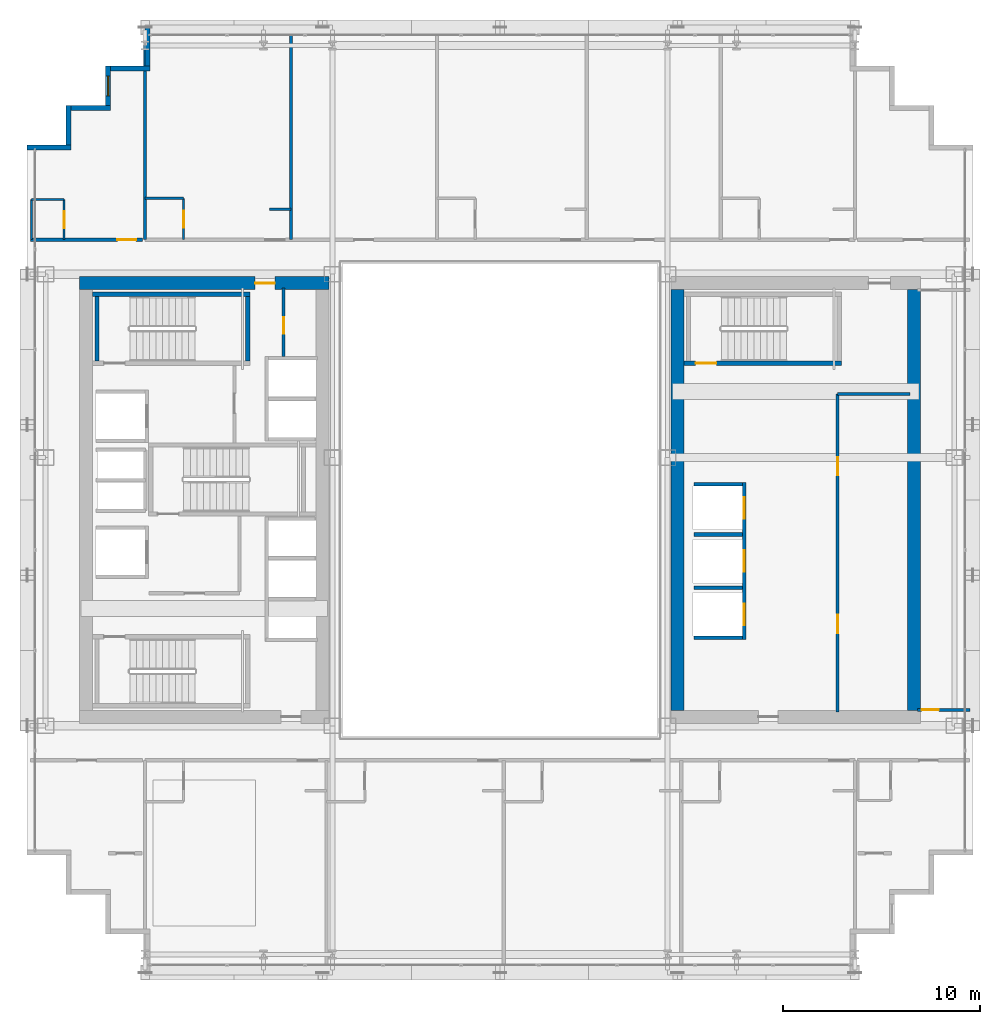
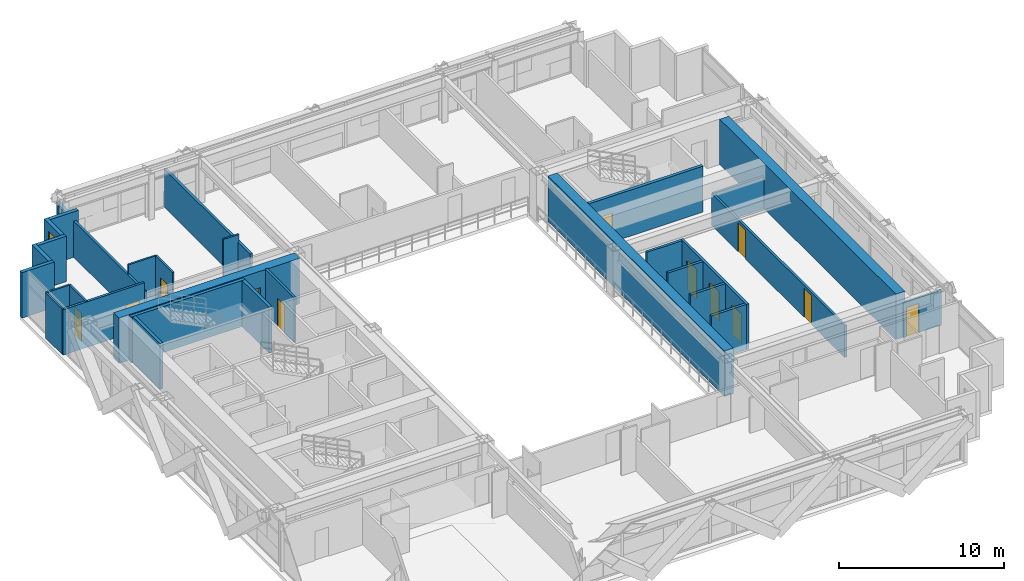
# One storey, part 29 of 34: 31 walls, 12 doors, 1 window, 13 openings.
"""IFC4 building model written with IfcOpenShell, lengths in metres."""

from ifc_helpers import new_model, si_unit, direction, frame, frame_2d, origin, place, context, subcontext, project, spatial, rectangle, extrude, source, transform, mapped, material, layer, layer_set, type_object, element, fill, save


model = new_model("IFC4")

# Units and contexts
model_context = context("Model", 3, precision=1e-05, world=origin(), true_north=direction((0.0, 1.0)))
body_context = subcontext(model_context, "Body", "Model", "MODEL_VIEW")
ifc_project = project(units=[si_unit("LENGTHUNIT", "METRE"), si_unit("AREAUNIT", "SQUARE_METRE"), si_unit("VOLUMEUNIT", "CUBIC_METRE"), si_unit("PLANEANGLEUNIT", "RADIAN"), si_unit("MASSUNIT", "GRAM", prefix="KILO")], contexts=[model_context])

# Site, building, storey
site_placement = place(None, origin())
site = spatial("IfcSite", under=ifc_project, at=site_placement, CompositionType="ELEMENT")
building_placement = place(site_placement, origin())
building = spatial("IfcBuilding", under=site, at=building_placement, Name="Ocotamira Hotel", CompositionType="ELEMENT")
storey_placement = place(building_placement, frame((0.0, 0.0, 108.0)))
storey = spatial("IfcBuildingStorey", under=building, at=storey_placement, Name="L26", CompositionType="ELEMENT", Elevation=108.0)

# Wall, opening, door
ifc_material_1 = material(Name="Concrete C60/75", Category="concrete")
ifc_layer_1 = layer(ifc_material_1, 0.64990234375)
ifc_layer_set_1 = layer_set([ifc_layer_1], Name="Concrete C60/75")
wall_type_1 = type_object("IfcWallType", Name="WL-CORE-650", PredefinedType="SHEAR", material=ifc_layer_set_1)
wall_1_placement = place(storey_placement, frame((10.675048828125, 37.0, 0.0), z_axis=(0.0, 0.0, 1.0), x_axis=(1.0, 0.0, 0.0)))
wall_1 = element("IfcWall", 1, at=wall_1_placement, inside=storey, type_object=wall_type_1, Name="L26 Shear Core Wall WCORE-N", PredefinedType="SHEAR", context=body_context, shape_type="SweptSolid", body=[
    extrude(rectangle(XDim=12.64990234375, YDim=0.64990234375, at=frame_2d((6.324951171875, 0.0))), origin(), (0.0, 0.0, 1.0), 3.360107421875),
])
opening_1_placement = place(wall_1_placement, frame((8.905029296875, 0.0, 0.0)))
opening_1 = element("IfcOpeningElement", 2, at=opening_1_placement, cuts=wall_1, Name="Opening D-FR2", PredefinedType="OPENING", context=body_context, shape_type="SweptSolid", body=[
    extrude(rectangle(XDim=1.0, YDim=2.14990234375, at=frame_2d((0.5, 1.074951171875))), frame((0.0, 0.3349609375, 0.0), z_axis=(0.0, -1.0, 0.0), x_axis=(1.0, 0.0, 0.0)), (0.0, 0.0, 1.0), 0.669921875),
])
ifc_material_2 = material(Name="Fire-rated acoustic timber-veneer door", Category="wood")
door_type_1 = type_object("IfcDoorType", Name="DR-FIRE-1000", OperationType="NOTDEFINED", PredefinedType="DOOR", material=ifc_material_2)
shared_shape_1 = source(origin(), body_context, "Body", "SweptSolid", [
    extrude(rectangle(XDim=1.0, YDim=2.14990234375, at=frame_2d((0.5, 1.074951171875))), frame((0.0, 0.02490234375, 0.0), z_axis=(0.0, -1.0, 0.0), x_axis=(1.0, 0.0, 0.0)), (0.0, 0.0, 1.0), 0.050048828125),
])
door_1_placement = place(opening_1_placement, origin())
door_1 = element("IfcDoor", 3, at=door_1_placement, inside=storey, type_object=door_type_1, Name="L26 Door ID-L26-WLOB-N-D [ID-L26-WLOB-N-D]", OperationType="SINGLE_SWING_RIGHT", OverallHeight=2.14990234375, OverallWidth=1.0, PredefinedType="DOOR", context=body_context, shape_type="MappedRepresentation", body=[
    mapped(shared_shape_1, transform((0.0, 0.0, 0.0), scale=1.0)),
])
fill(opening_1, door_1)

# Walls
for number, where, z_axis, x_axis, name in (
    (4, (41.0, 15.324951171875, 0.0), (0.0, 0.0, 1.0), (0.0, 1.0, 0.0), "L26 Shear Core Wall ECORE-W"),
    (5, (53.0, 15.324951171875, 0.0), (0.0, 0.0, 1.0), (0.0, 1.0, 0.0), "L26 Shear Core Wall ECORE-E"),
):
    element("IfcWall", number, at=place(storey_placement, frame(where, z_axis=z_axis, x_axis=x_axis)), inside=storey, type_object=wall_type_1, Name=name, PredefinedType="SHEAR", context=body_context, shape_type="SweptSolid", body=[
        extrude(rectangle(XDim=21.35009765625, YDim=0.64990234375, at=frame_2d((10.675048828125, 0.0))), origin(), (0.0, 0.0, 1.0), 3.360107421875),
    ])
ifc_material_3 = material(Name="Precast concrete C45/55", Category="concrete")
ifc_layer_2 = layer(ifc_material_3, 0.25)
ifc_layer_set_2 = layer_set([ifc_layer_2], Name="Precast concrete C45/55")
wall_type_2 = type_object("IfcWallType", Name="WL-EXT-SER-250", PredefinedType="SOLIDWALL", material=ifc_layer_set_2)
wall_2_placement = place(storey_placement, frame((14.125, 50.0, 0.0), z_axis=(0.0, 0.0, 1.0), x_axis=(0.0, -1.0, 0.0)))
element("IfcWall", 6, at=wall_2_placement, inside=storey, type_object=wall_type_2, Name="L26 Serrated Corner Wall 13", PredefinedType="SOLIDWALL", context=body_context, shape_type="SweptSolid", body=[
    extrude(rectangle(XDim=2.0, YDim=0.25, at=frame_2d((1.0, 0.0))), origin(), (0.0, 0.0, 1.0), 2.6669921875),
])
wall_3_placement = place(storey_placement, frame((14.25, 47.875, 0.0), z_axis=(0.0, 0.0, 1.0), x_axis=(-1.0, 0.0, 0.0)))
element("IfcWall", 7, at=wall_3_placement, inside=storey, type_object=wall_type_2, Name="L26 Serrated Corner Wall 14", PredefinedType="SOLIDWALL", context=body_context, shape_type="SweptSolid", body=[
    extrude(rectangle(XDim=2.0, YDim=0.25, at=frame_2d((1.0, 0.0))), origin(), (0.0, 0.0, 1.0), 3.360107421875),
])

# Wall, opening, window
wall_4_placement = place(storey_placement, frame((12.125, 48.0, 0.0), z_axis=(0.0, 0.0, 1.0), x_axis=(0.0, -1.0, 0.0)))
wall_4 = element("IfcWall", 8, at=wall_4_placement, inside=storey, type_object=wall_type_2, Name="L26 Serrated Corner Wall 15", PredefinedType="SOLIDWALL", context=body_context, shape_type="SweptSolid", body=[
    extrude(rectangle(XDim=2.0, YDim=0.25, at=frame_2d((1.0, 0.0))), origin(), (0.0, 0.0, 1.0), 3.360107421875),
])
opening_2_placement = place(wall_4_placement, frame((0.5, 0.0, 0.85009765625)))
opening_2 = element("IfcOpeningElement", 9, at=opening_2_placement, cuts=wall_4, Name="Opening WN-2", PredefinedType="OPENING", context=body_context, shape_type="SweptSolid", body=[
    extrude(rectangle(XDim=1.0, YDim=1.89990234375, at=frame_2d((0.5, 0.949951171875))), frame((0.0, 0.135009765625, 0.0), z_axis=(0.0, -1.0, 0.0), x_axis=(1.0, 0.0, 0.0)), (0.0, 0.0, 1.0), 0.27001953125),
])
ifc_material_4 = material(Name="Double-silver low-E solar glass", Category="glass")
window_type = type_object("IfcWindowType", Name="WIN-SER-1100", PartitioningType="SINGLE_PANEL", PredefinedType="WINDOW", material=ifc_material_4)
shared_shape_2 = source(origin(), body_context, "Body", "SweptSolid", [
    extrude(rectangle(XDim=1.0, YDim=1.89990234375, at=frame_2d((0.5, 0.949951171875))), frame((0.0, 0.030029296875, 0.0), z_axis=(0.0, -1.0, 0.0), x_axis=(1.0, 0.0, 0.0)), (0.0, 0.0, 1.0), 0.06005859375),
])
window_placement = place(opening_2_placement, origin())
window = element("IfcWindow", 10, at=window_placement, inside=storey, type_object=window_type, Name="L26 Serrated Corner Window 15", OverallHeight=1.89990234375, OverallWidth=1.0, PartitioningType="SINGLE_PANEL", PredefinedType="WINDOW", context=body_context, shape_type="MappedRepresentation", body=[
    mapped(shared_shape_2, transform((0.0, 0.0, 0.0), scale=1.0)),
])
fill(opening_2, window)

# Walls
for number, where, z_axis, x_axis, name in (
    (11, (12.25, 45.875, 0.0), (0.0, 0.0, 1.0), (-1.0, 0.0, 0.0), "L26 Serrated Corner Wall 16"),
    (12, (10.125, 46.0, 0.0), (0.0, 0.0, 1.0), (0.0, -1.0, 0.0), "L26 Serrated Corner Wall 17"),
):
    element("IfcWall", number, at=place(storey_placement, frame(where, z_axis=z_axis, x_axis=x_axis)), inside=storey, type_object=wall_type_2, Name=name, PredefinedType="SOLIDWALL", context=body_context, shape_type="SweptSolid", body=[
        extrude(rectangle(XDim=2.0, YDim=0.25, at=frame_2d((1.0, 0.0))), origin(), (0.0, 0.0, 1.0), 3.360107421875),
    ])
wall_5_placement = place(storey_placement, frame((10.25, 43.875, 0.0), z_axis=(0.0, 0.0, 1.0), x_axis=(-1.0, 0.0, 0.0)))
element("IfcWall", 13, at=wall_5_placement, inside=storey, type_object=wall_type_2, Name="L26 Serrated Corner Wall 18", PredefinedType="SOLIDWALL", context=body_context, shape_type="SweptSolid", body=[
    extrude(rectangle(XDim=2.25, YDim=0.25, at=frame_2d((1.125, 0.0))), origin(), (0.0, 0.0, 1.0), 3.360107421875),
])
ifc_material_5 = material(Name="Acoustic double-layer fire gypsum board partition", Category="gypsum")
ifc_layer_3 = layer(ifc_material_5, 0.159912109375)
ifc_layer_set_3 = layer_set([ifc_layer_3], Name="Acoustic double-layer fire gypsum board partition")
wall_type_3 = type_object("IfcWallType", Name="WL-FIRE-160", PredefinedType="PARTITIONING", material=ifc_layer_set_3)
wall_6_placement = place(storey_placement, frame((49.1201171875, 31.3798828125, 0.0), z_axis=(0.0, 0.0, 1.0), x_axis=(1.0, 0.0, 0.0)))
element("IfcWall", 14, at=wall_6_placement, inside=storey, type_object=wall_type_3, Name="L26 Interior Wall PW-L26-EC-FLOW-N", PredefinedType="PARTITIONING", context=body_context, shape_type="SweptSolid", body=[
    extrude(rectangle(XDim=3.679931640625, YDim=0.159912109375, at=frame_2d((1.83984375, 0.0))), origin(), (0.0, 0.0, 1.0), 2.360107421875),
])

# Wall, openings, doors
wall_7_placement = place(storey_placement, frame((49.1201171875, 15.25, 0.0), z_axis=(0.0, 0.0, 1.0), x_axis=(0.0, 1.0, 0.0)))
wall_7 = element("IfcWall", 15, at=wall_7_placement, inside=storey, type_object=wall_type_3, Name="L26 Interior Wall PW-L26-EC-FLOW-W", PredefinedType="PARTITIONING", context=body_context, shape_type="SweptSolid", body=[
    extrude(rectangle(XDim=16.1298828125, YDim=0.159912109375, at=frame_2d((8.06494140625, 0.0))), origin(), (0.0, 0.0, 1.0), 2.360107421875),
])
opening_3_placement = place(wall_7_placement, frame((4.0, 0.0, 0.0)))
opening_3 = element("IfcOpeningElement", 16, at=opening_3_placement, cuts=wall_7, Name="Opening D-SV3", PredefinedType="OPENING", context=body_context, shape_type="SweptSolid", body=[
    extrude(rectangle(XDim=0.919921875, YDim=2.14990234375, at=frame_2d((0.4599609375, 1.074951171875))), frame((0.0, 0.08984375, 0.0), z_axis=(0.0, -1.0, 0.0), x_axis=(1.0, 0.0, 0.0)), (0.0, 0.0, 1.0), 0.179931640625),
])
opening_4_placement = place(wall_7_placement, frame((12.0, 0.0, 0.0)))
opening_4 = element("IfcOpeningElement", 17, at=opening_4_placement, cuts=wall_7, Name="Opening D-SV3", PredefinedType="OPENING", context=body_context, shape_type="SweptSolid", body=[
    extrude(rectangle(XDim=0.919921875, YDim=2.14990234375, at=frame_2d((0.4599609375, 1.074951171875))), frame((0.0, 0.08984375, 0.0), z_axis=(0.0, -1.0, 0.0), x_axis=(1.0, 0.0, 0.0)), (0.0, 0.0, 1.0), 0.179931640625),
])
ifc_material_6 = material(Name="Fire-rated walnut hospitality door", Category="wood")
door_type_2 = type_object("IfcDoorType", Name="DR-SERV-920", OperationType="NOTDEFINED", PredefinedType="DOOR", material=ifc_material_6)
shared_shape_3 = source(origin(), body_context, "Body", "SweptSolid", [
    extrude(rectangle(XDim=0.919921875, YDim=2.14990234375, at=frame_2d((0.4599609375, 1.074951171875))), frame((0.0, 0.02490234375, 0.0), z_axis=(0.0, -1.0, 0.0), x_axis=(1.0, 0.0, 0.0)), (0.0, 0.0, 1.0), 0.050048828125),
])
door_2_placement = place(opening_3_placement, origin())
door_2 = element("IfcDoor", 18, at=door_2_placement, inside=storey, type_object=door_type_2, Name="L26 Door ID-L26-EC-FLOW-D1 [ID-L26-EC-FLOW-D1]", OperationType="SINGLE_SWING_LEFT", OverallHeight=2.14990234375, OverallWidth=0.919921875, PredefinedType="DOOR", context=body_context, shape_type="MappedRepresentation", body=[
    mapped(shared_shape_3, transform((0.0, 0.0, 0.0), scale=1.0)),
])
fill(opening_3, door_2)
door_3_placement = place(opening_4_placement, origin())
door_3 = element("IfcDoor", 19, at=door_3_placement, inside=storey, type_object=door_type_2, Name="L26 Door ID-L26-EC-FLOW-D2 [ID-L26-EC-FLOW-D2]", OperationType="SINGLE_SWING_RIGHT", OverallHeight=2.14990234375, OverallWidth=0.919921875, PredefinedType="DOOR", context=body_context, shape_type="MappedRepresentation", body=[
    mapped(shared_shape_3, transform((0.0, 0.0, 0.0), scale=1.0)),
])
fill(opening_4, door_3)

# Wall, opening, door
wall_8_placement = place(storey_placement, frame((8.199951171875, 39.199951171875, 0.0), z_axis=(0.0, 0.0, 1.0), x_axis=(1.0, 0.0, 0.0)))
wall_8 = element("IfcWall", 20, at=wall_8_placement, inside=storey, type_object=wall_type_3, Name="L26 Interior Wall PW-L26-Z2B-CNW-CW", PredefinedType="PARTITIONING", context=body_context, shape_type="SweptSolid", body=[
    extrude(rectangle(XDim=5.679931640625, YDim=0.159912109375, at=frame_2d((2.83984375, 0.0))), origin(), (0.0, 0.0, 1.0), 3.360107421875),
])
opening_5_placement = place(wall_8_placement, frame((4.39990234375, 0.0, 0.0)))
opening_5 = element("IfcOpeningElement", 21, at=opening_5_placement, cuts=wall_8, Name="Opening D-GR1", PredefinedType="OPENING", context=body_context, shape_type="SweptSolid", body=[
    extrude(rectangle(XDim=0.93994140625, YDim=2.14990234375, at=frame_2d((0.469970703125, 1.074951171875))), frame((0.0, 0.08984375, 0.0), z_axis=(0.0, -1.0, 0.0), x_axis=(1.0, 0.0, 0.0)), (0.0, 0.0, 1.0), 0.179931640625),
])
ifc_material_7 = material(Name="Solid-core walnut suite entrance fire door", Category="wood")
door_type_3 = type_object("IfcDoorType", Name="DR-GUEST-940", OperationType="NOTDEFINED", PredefinedType="DOOR", material=ifc_material_7)
shared_shape_4 = source(origin(), body_context, "Body", "SweptSolid", [
    extrude(rectangle(XDim=0.93994140625, YDim=2.14990234375, at=frame_2d((0.469970703125, 1.074951171875))), frame((0.0, 0.02490234375, 0.0), z_axis=(0.0, -1.0, 0.0), x_axis=(1.0, 0.0, 0.0)), (0.0, 0.0, 1.0), 0.050048828125),
])
door_4_placement = place(opening_5_placement, origin())
door_4 = element("IfcDoor", 22, at=door_4_placement, inside=storey, type_object=door_type_3, Name="L26 Door ID-L26-Z2B-CNW-CD [ID-L26-Z2B-CNW-CD]", OperationType="SINGLE_SWING_RIGHT", OverallHeight=2.14990234375, OverallWidth=0.93994140625, PredefinedType="DOOR", context=body_context, shape_type="MappedRepresentation", body=[
    mapped(shared_shape_4, transform((0.0, 0.0, 0.0), scale=1.0)),
])
fill(opening_5, door_4)

ifc_material_8 = material(Name="Moisture-resistant en-suite tile and gypsum partition", Category="gypsum")
ifc_layer_4 = layer(ifc_material_8, 0.1201171875)
ifc_layer_set_4 = layer_set([ifc_layer_4], Name="Moisture-resistant en-suite tile and gypsum partition")
wall_type_4 = type_object("IfcWallType", Name="WL-PART-120", PredefinedType="PARTITIONING", material=ifc_layer_set_4)
wall_9_placement = place(storey_placement, frame((9.889892578125, 39.199951171875, 0.0), z_axis=(0.0, 0.0, 1.0), x_axis=(0.0, 1.0, 0.0)))
wall_9 = element("IfcWall", 23, at=wall_9_placement, inside=storey, type_object=wall_type_4, Name="L26 Interior Wall PW-L26-Z2B-CNW-BE", PredefinedType="PARTITIONING", context=body_context, shape_type="SweptSolid", body=[
    extrude(rectangle(XDim=2.0400390625, YDim=0.1201171875, at=frame_2d((1.02001953125, 0.0))), origin(), (0.0, 0.0, 1.0), 3.360107421875),
])
opening_6_placement = place(wall_9_placement, frame((0.590087890625, 0.0, 0.0)))
opening_6 = element("IfcOpeningElement", 24, at=opening_6_placement, cuts=wall_9, Name="Opening D-BA1", PredefinedType="OPENING", context=body_context, shape_type="SweptSolid", body=[
    extrude(rectangle(XDim=0.860107421875, YDim=2.10009765625, at=frame_2d((0.43017578125, 1.050048828125))), frame((0.0, 0.070068359375, 0.0), z_axis=(0.0, -1.0, 0.0), x_axis=(1.0, 0.0, 0.0)), (0.0, 0.0, 1.0), 0.14013671875),
])
ifc_material_9 = material(Name="Moisture-sealed en-suite timber door", Category="wood")
door_type_4 = type_object("IfcDoorType", Name="DR-BATH-860", OperationType="NOTDEFINED", PredefinedType="DOOR", material=ifc_material_9)
shared_shape_5 = source(origin(), body_context, "Body", "SweptSolid", [
    extrude(rectangle(XDim=0.860107421875, YDim=2.10009765625, at=frame_2d((0.43017578125, 1.050048828125))), frame((0.0, 0.02490234375, 0.0), z_axis=(0.0, -1.0, 0.0), x_axis=(1.0, 0.0, 0.0)), (0.0, 0.0, 1.0), 0.050048828125),
])
door_5_placement = place(opening_6_placement, origin())
door_5 = element("IfcDoor", 25, at=door_5_placement, inside=storey, type_object=door_type_4, Name="L26 Door ID-L26-Z2B-CNW-BD [ID-L26-Z2B-CNW-BD]", OperationType="SINGLE_SWING_LEFT", OverallHeight=2.10009765625, OverallWidth=0.860107421875, PredefinedType="DOOR", context=body_context, shape_type="MappedRepresentation", body=[
    mapped(shared_shape_5, transform((0.0, 0.0, 0.0), scale=1.0)),
])
fill(opening_6, door_5)

# Walls
wall_10_placement = place(storey_placement, frame((8.239990234375, 39.199951171875, 0.0), z_axis=(0.0, 0.0, 1.0), x_axis=(0.0, 1.0, 0.0)))
element("IfcWall", 26, at=wall_10_placement, inside=storey, type_object=wall_type_4, Name="L26 Interior Wall PW-L26-Z2B-CNW-BW", PredefinedType="PARTITIONING", context=body_context, shape_type="SweptSolid", body=[
    extrude(rectangle(XDim=2.0400390625, YDim=0.1201171875, at=frame_2d((1.02001953125, 0.0))), origin(), (0.0, 0.0, 1.0), 3.360107421875),
])
wall_11_placement = place(storey_placement, frame((8.239990234375, 41.239990234375, 0.0), z_axis=(0.0, 0.0, 1.0), x_axis=(1.0, 0.0, 0.0)))
element("IfcWall", 27, at=wall_11_placement, inside=storey, type_object=wall_type_4, Name="L26 Interior Wall PW-L26-Z2B-CNW-BH", PredefinedType="PARTITIONING", context=body_context, shape_type="SweptSolid", body=[
    extrude(rectangle(XDim=1.64990234375, YDim=0.1201171875, at=frame_2d((0.824951171875, 0.0))), origin(), (0.0, 0.0, 1.0), 3.360107421875),
])

# Wall, opening, door
wall_12_placement = place(storey_placement, frame((15.949951171875, 39.199951171875, 0.0), z_axis=(0.0, 0.0, 1.0), x_axis=(0.0, 1.0, 0.0)))
wall_12 = element("IfcWall", 28, at=wall_12_placement, inside=storey, type_object=wall_type_4, Name="L26 Interior Wall PW-L26-Z2BN-BAE1", PredefinedType="PARTITIONING", context=body_context, shape_type="SweptSolid", body=[
    extrude(rectangle(XDim=2.10009765625, YDim=0.1201171875, at=frame_2d((1.050048828125, 0.0))), origin(), (0.0, 0.0, 1.0), 3.360107421875),
])
opening_7_placement = place(wall_12_placement, frame((0.6201171875, 0.0, 0.0)))
opening_7 = element("IfcOpeningElement", 29, at=opening_7_placement, cuts=wall_12, Name="Opening D-BA1", PredefinedType="OPENING", context=body_context, shape_type="SweptSolid", body=[
    extrude(rectangle(XDim=0.860107421875, YDim=2.10009765625, at=frame_2d((0.43017578125, 1.050048828125))), frame((0.0, 0.070068359375, 0.0), z_axis=(0.0, -1.0, 0.0), x_axis=(1.0, 0.0, 0.0)), (0.0, 0.0, 1.0), 0.14013671875),
])
door_6_placement = place(opening_7_placement, origin())
door_6 = element("IfcDoor", 30, at=door_6_placement, inside=storey, type_object=door_type_4, Name="L26 Door ID-L26-Z2BN-BAD1 [ID-L26-Z2BN-BAD1]", OperationType="SINGLE_SWING_RIGHT", OverallHeight=2.10009765625, OverallWidth=0.860107421875, PredefinedType="DOOR", context=body_context, shape_type="MappedRepresentation", body=[
    mapped(shared_shape_5, transform((0.0, 0.0, 0.0), scale=1.0)),
])
fill(opening_7, door_6)

# Walls
wall_13_placement = place(storey_placement, frame((14.0, 41.300048828125, 0.0), z_axis=(0.0, 0.0, 1.0), x_axis=(1.0, 0.0, 0.0)))
element("IfcWall", 31, at=wall_13_placement, inside=storey, type_object=wall_type_4, Name="L26 Interior Wall PW-L26-Z2BN-BAN1", PredefinedType="PARTITIONING", context=body_context, shape_type="SweptSolid", body=[
    extrude(rectangle(XDim=1.949951171875, YDim=0.1201171875, at=frame_2d((0.97509765625, 0.0))), origin(), (0.0, 0.0, 1.0), 3.360107421875),
])
wall_14_placement = place(storey_placement, frame((20.300048828125, 40.75, 0.0), z_axis=(0.0, 0.0, 1.0), x_axis=(1.0, 0.0, 0.0)))
element("IfcWall", 32, at=wall_14_placement, inside=storey, type_object=wall_type_4, Name="L26 Interior Wall PW-L26-Z2BN-DRN1", PredefinedType="PARTITIONING", context=body_context, shape_type="SweptSolid", body=[
    extrude(rectangle(XDim=1.099853515625, YDim=0.1201171875, at=frame_2d((0.5498046875, 0.0))), origin(), (0.0, 0.0, 1.0), 3.360107421875),
])

# Wall, opening, door
ifc_material_10 = material(Name="Acoustic hospitality gypsum board partition", Category="gypsum")
ifc_layer_5 = layer(ifc_material_10, 0.14208984375)
ifc_layer_set_5 = layer_set([ifc_layer_5], Name="Acoustic hospitality gypsum board partition")
wall_type_5 = type_object("IfcWallType", Name="WL-PART-142", PredefinedType="PARTITIONING", material=ifc_layer_set_5)
wall_15_placement = place(storey_placement, frame((21.02001953125, 33.280029296875, 0.0), z_axis=(0.0, 0.0, 1.0), x_axis=(0.0, 1.0, 0.0)))
wall_15 = element("IfcWall", 33, at=wall_15_placement, inside=storey, type_object=wall_type_5, Name="L26 Interior Wall PW-L26-WC-NE-W", PredefinedType="PARTITIONING", context=body_context, shape_type="SweptSolid", body=[
    extrude(rectangle(XDim=3.469970703125, YDim=0.14208984375, at=frame_2d((1.73486328125, 0.0))), origin(), (0.0, 0.0, 1.0), 3.360107421875),
])
opening_8_placement = place(wall_15_placement, frame((1.14990234375, 0.0, 0.0)))
opening_8 = element("IfcOpeningElement", 34, at=opening_8_placement, cuts=wall_15, Name="Opening D-SV1", PredefinedType="OPENING", context=body_context, shape_type="SweptSolid", body=[
    extrude(rectangle(XDim=0.840087890625, YDim=2.10009765625, at=frame_2d((0.419921875, 1.050048828125))), frame((0.0, 0.0810546875, 0.0), z_axis=(0.0, -1.0, 0.0), x_axis=(1.0, 0.0, 0.0)), (0.0, 0.0, 1.0), 0.162109375),
])
ifc_material_11 = material(Name="Fire-rated painted steel service door", Category="steel")
door_type_5 = type_object("IfcDoorType", Name="DR-SERV-840", OperationType="NOTDEFINED", PredefinedType="DOOR", material=ifc_material_11)
shared_shape_6 = source(origin(), body_context, "Body", "SweptSolid", [
    extrude(rectangle(XDim=0.840087890625, YDim=2.10009765625, at=frame_2d((0.419921875, 1.050048828125))), frame((0.0, 0.02490234375, 0.0), z_axis=(0.0, -1.0, 0.0), x_axis=(1.0, 0.0, 0.0)), (0.0, 0.0, 1.0), 0.050048828125),
])
door_7_placement = place(opening_8_placement, origin())
door_7 = element("IfcDoor", 35, at=door_7_placement, inside=storey, type_object=door_type_5, Name="L26 Door ID-L26-WC-NE-D [ID-L26-WC-NE-D]", OperationType="SINGLE_SWING_LEFT", OverallHeight=2.10009765625, OverallWidth=0.840087890625, PredefinedType="DOOR", context=body_context, shape_type="MappedRepresentation", body=[
    mapped(shared_shape_6, transform((0.0, 0.0, 0.0), scale=1.0)),
])
fill(opening_8, door_7)

ifc_layer_6 = layer(ifc_material_10, 0.14990234375)
ifc_layer_set_6 = layer_set([ifc_layer_6], Name="Acoustic hospitality gypsum board partition")
wall_type_6 = type_object("IfcWallType", Name="WL-PART-150", PredefinedType="PARTITIONING", material=ifc_layer_set_6)
wall_16_placement = place(storey_placement, frame((53.179931640625, 15.360107421875, 0.0), z_axis=(0.0, 0.0, 1.0), x_axis=(1.0, 0.0, 0.0)))
wall_16 = element("IfcWall", 36, at=wall_16_placement, inside=storey, type_object=wall_type_6, Name="L26 Interior Wall PW-L26-Z2B-EF-WS", PredefinedType="PARTITIONING", context=body_context, shape_type="SweptSolid", body=[
    extrude(rectangle(XDim=2.66015625, YDim=0.14990234375, at=frame_2d((1.330078125, 0.0))), origin(), (0.0, 0.0, 1.0), 2.5810546875),
])
opening_9_placement = place(wall_16_placement, frame((0.199951171875, 0.0, 0.0)))
opening_9 = element("IfcOpeningElement", 37, at=opening_9_placement, cuts=wall_16, Name="Opening D-SV2", PredefinedType="OPENING", context=body_context, shape_type="SweptSolid", body=[
    extrude(rectangle(XDim=0.8798828125, YDim=2.14990234375, at=frame_2d((0.43994140625, 1.074951171875))), frame((0.0, 0.0849609375, 0.0), z_axis=(0.0, -1.0, 0.0), x_axis=(1.0, 0.0, 0.0)), (0.0, 0.0, 1.0), 0.169921875),
])
door_type_6 = type_object("IfcDoorType", Name="DR-SERV-880", OperationType="NOTDEFINED", PredefinedType="DOOR", material=ifc_material_11)
shared_shape_7 = source(origin(), body_context, "Body", "SweptSolid", [
    extrude(rectangle(XDim=0.8798828125, YDim=2.14990234375, at=frame_2d((0.43994140625, 1.074951171875))), frame((0.0, 0.02490234375, 0.0), z_axis=(0.0, -1.0, 0.0), x_axis=(1.0, 0.0, 0.0)), (0.0, 0.0, 1.0), 0.050048828125),
])
door_8_placement = place(opening_9_placement, origin())
door_8 = element("IfcDoor", 38, at=door_8_placement, inside=storey, type_object=door_type_6, Name="L26 Door ID-L26-Z2B-EF-DS [ID-L26-Z2B-EF-DS]", OperationType="SINGLE_SWING_RIGHT", OverallHeight=2.14990234375, OverallWidth=0.8798828125, PredefinedType="DOOR", context=body_context, shape_type="MappedRepresentation", body=[
    mapped(shared_shape_7, transform((0.0, 0.0, 0.0), scale=1.0)),
])
fill(opening_9, door_8)

# Walls
ifc_material_12 = material(Name="Acoustic double-stud hospitality gypsum partition", Category="gypsum")
ifc_layer_7 = layer(ifc_material_12, 0.159912109375)
ifc_layer_set_7 = layer_set([ifc_layer_7], Name="Acoustic double-stud hospitality gypsum partition")
wall_type_7 = type_object("IfcWallType", Name="WL-PART-160", PredefinedType="PARTITIONING", material=ifc_layer_set_7)
wall_17_placement = place(storey_placement, frame((14.0, 39.199951171875, 0.0), z_axis=(0.0, 0.0, 1.0), x_axis=(0.0, 1.0, 0.0)))
element("IfcWall", 39, at=wall_17_placement, inside=storey, type_object=wall_type_7, Name="L26 Interior Wall PW-L26-Z2BN-PW0", PredefinedType="PARTITIONING", context=body_context, shape_type="SweptSolid", body=[
    extrude(rectangle(XDim=10.43994140625, YDim=0.159912109375, at=frame_2d((5.219970703125, 0.0))), origin(), (0.0, 0.0, 1.0), 2.6669921875),
])
ifc_material_13 = material(Name="Double-stud suite party gypsum partition", Category="gypsum")
ifc_layer_8 = layer(ifc_material_13, 0.175048828125)
ifc_layer_set_8 = layer_set([ifc_layer_8], Name="Double-stud suite party gypsum partition")
wall_type_8 = type_object("IfcWallType", Name="WL-PART-175", PredefinedType="PARTITIONING", material=ifc_layer_set_8)
wall_18_placement = place(storey_placement, frame((21.39990234375, 39.199951171875, 0.0), z_axis=(0.0, 0.0, 1.0), x_axis=(0.0, 1.0, 0.0)))
element("IfcWall", 40, at=wall_18_placement, inside=storey, type_object=wall_type_8, Name="L26 Interior Wall PW-L26-Z2BN-PW1", PredefinedType="PARTITIONING", context=body_context, shape_type="SweptSolid", body=[
    extrude(rectangle(XDim=10.43994140625, YDim=0.175048828125, at=frame_2d((5.219970703125, 0.0))), origin(), (0.0, 0.0, 1.0), 2.822998046875),
])

# Wall, openings, doors
ifc_material_14 = material(Name="Fire-rated gypsum shaftliner board assembly", Category="gypsum")
ifc_layer_9 = layer(ifc_material_14, 0.179931640625)
ifc_layer_set_9 = layer_set([ifc_layer_9], Name="Fire-rated gypsum shaftliner board assembly")
wall_type_9 = type_object("IfcWallType", Name="WL-SHAFT-180", PredefinedType="SOLIDWALL", material=ifc_layer_set_9)
wall_19_placement = place(storey_placement, frame((44.389892578125, 18.919921875, 0.0), z_axis=(0.0, 0.0, 1.0), x_axis=(0.0, 1.0, 0.0)))
wall_19 = element("IfcWall", 41, at=wall_19_placement, inside=storey, type_object=wall_type_9, Name="L26 Interior Wall PW-L26-LFW-BANK-mid-F", PredefinedType="SOLIDWALL", context=body_context, shape_type="SweptSolid", body=[
    extrude(rectangle(XDim=7.9599609375, YDim=0.179931640625, at=frame_2d((3.97998046875, 0.0))), origin(), (0.0, 0.0, 1.0), 3.360107421875),
])
opening_10_placement = place(wall_19_placement, frame((0.72998046875, 0.0, 0.0)))
opening_10 = element("IfcOpeningElement", 42, at=opening_10_placement, cuts=wall_19, Name="Opening LD-LF-P4", PredefinedType="OPENING", context=body_context, shape_type="SweptSolid", body=[
    extrude(rectangle(XDim=1.10009765625, YDim=2.199951171875, at=frame_2d((0.550048828125, 1.10009765625))), frame((0.0, 0.10009765625, 0.0), z_axis=(0.0, -1.0, 0.0), x_axis=(1.0, 0.0, 0.0)), (0.0, 0.0, 1.0), 0.199951171875),
])
opening_11_placement = place(wall_19_placement, frame((3.429931640625, 0.0, 0.0)))
opening_11 = element("IfcOpeningElement", 43, at=opening_11_placement, cuts=wall_19, Name="Opening LD-LF-P5", PredefinedType="OPENING", context=body_context, shape_type="SweptSolid", body=[
    extrude(rectangle(XDim=1.10009765625, YDim=2.199951171875, at=frame_2d((0.550048828125, 1.10009765625))), frame((0.0, 0.10009765625, 0.0), z_axis=(0.0, -1.0, 0.0), x_axis=(1.0, 0.0, 0.0)), (0.0, 0.0, 1.0), 0.199951171875),
])
opening_12_placement = place(wall_19_placement, frame((6.1298828125, 0.0, 0.0)))
opening_12 = element("IfcOpeningElement", 44, at=opening_12_placement, cuts=wall_19, Name="Opening LD-LF-P6", PredefinedType="OPENING", context=body_context, shape_type="SweptSolid", body=[
    extrude(rectangle(XDim=1.10009765625, YDim=2.199951171875, at=frame_2d((0.550048828125, 1.10009765625))), frame((0.0, 0.10009765625, 0.0), z_axis=(0.0, -1.0, 0.0), x_axis=(1.0, 0.0, 0.0)), (0.0, 0.0, 1.0), 0.199951171875),
])
ifc_material_15 = material(Name="Brushed pale-metal stainless elevator landing door", Category="steel")
door_type_7 = type_object("IfcDoorType", Name="DR-LIFT-1100", OperationType="NOTDEFINED", PredefinedType="DOOR", material=ifc_material_15)
shared_shape_8 = source(origin(), body_context, "Body", "SweptSolid", [
    extrude(rectangle(XDim=1.10009765625, YDim=2.199951171875, at=frame_2d((0.550048828125, 1.10009765625))), frame((0.0, 0.02490234375, 0.0), z_axis=(0.0, -1.0, 0.0), x_axis=(1.0, 0.0, 0.0)), (0.0, 0.0, 1.0), 0.050048828125),
])
door_9_placement = place(opening_10_placement, origin())
door_9 = element("IfcDoor", 45, at=door_9_placement, inside=storey, type_object=door_type_7, Name="L26 Landing Door LD-LF-P4 [ID-L26-LD-LF-P4]", OperationType="DOUBLE_DOOR_SLIDING", OverallHeight=2.199951171875, OverallWidth=1.10009765625, PredefinedType="DOOR", context=body_context, shape_type="MappedRepresentation", body=[
    mapped(shared_shape_8, transform((0.0, 0.0, 0.0), scale=1.0)),
])
fill(opening_10, door_9)
door_10_placement = place(opening_11_placement, origin())
door_10 = element("IfcDoor", 46, at=door_10_placement, inside=storey, type_object=door_type_7, Name="L26 Landing Door LD-LF-P5 [ID-L26-LD-LF-P5]", OperationType="DOUBLE_DOOR_SLIDING", OverallHeight=2.199951171875, OverallWidth=1.10009765625, PredefinedType="DOOR", context=body_context, shape_type="MappedRepresentation", body=[
    mapped(shared_shape_8, transform((0.0, 0.0, 0.0), scale=1.0)),
])
fill(opening_11, door_10)
door_11_placement = place(opening_12_placement, origin())
door_11 = element("IfcDoor", 47, at=door_11_placement, inside=storey, type_object=door_type_7, Name="L26 Landing Door LD-LF-P6 [ID-L26-LD-LF-P6]", OperationType="DOUBLE_DOOR_SLIDING", OverallHeight=2.199951171875, OverallWidth=1.10009765625, PredefinedType="DOOR", context=body_context, shape_type="MappedRepresentation", body=[
    mapped(shared_shape_8, transform((0.0, 0.0, 0.0), scale=1.0)),
])
fill(opening_12, door_11)

# Walls
for number, where, z_axis, x_axis, name in (
    (48, (41.85009765625, 19.010009765625, 0.0), (0.0, 0.0, 1.0), (1.0, 0.0, 0.0), "L26 Interior Wall PW-L26-LFW-BANK-mid-S"),
    (49, (41.85009765625, 26.7900390625, 0.0), (0.0, 0.0, 1.0), (1.0, 0.0, 0.0), "L26 Interior Wall PW-L26-LFW-BANK-mid-N"),
    (50, (41.85009765625, 21.550048828125, 0.0), (0.0, 0.0, 1.0), (1.0, 0.0, 0.0), "L26 Interior Wall PW-L26-LFW-DIV-LF-P4"),
    (51, (41.85009765625, 24.25, 0.0), (0.0, 0.0, 1.0), (1.0, 0.0, 0.0), "L26 Interior Wall PW-L26-LFW-DIV-LF-P5"),
):
    element("IfcWall", number, at=place(storey_placement, frame(where, z_axis=z_axis, x_axis=x_axis)), inside=storey, type_object=wall_type_9, Name=name, PredefinedType="SOLIDWALL", context=body_context, shape_type="SweptSolid", body=[
        extrude(rectangle(XDim=2.449951171875, YDim=0.179931640625, at=frame_2d((1.22509765625, 0.0))), origin(), (0.0, 0.0, 1.0), 3.360107421875),
    ])
ifc_material_16 = material(Name="Concrete C50/60", Category="concrete")
ifc_layer_10 = layer(ifc_material_16, 0.219970703125)
ifc_layer_set_10 = layer_set([ifc_layer_10], Name="Concrete C50/60")
wall_type_10 = type_object("IfcWallType", Name="WL-STAIR-220", PredefinedType="SHEAR", material=ifc_layer_set_10)
wall_20_placement = place(storey_placement, frame((11.324951171875, 36.43994140625, 0.0), z_axis=(0.0, 0.0, 1.0), x_axis=(1.0, 0.0, 0.0)))
element("IfcWall", 52, at=wall_20_placement, inside=storey, type_object=wall_type_10, Name="L26 Stair Shaft Structural Wall ST-2-N", PredefinedType="SHEAR", context=body_context, shape_type="SweptSolid", body=[
    extrude(rectangle(XDim=7.985107421875, YDim=0.219970703125, at=frame_2d((3.99267578125, 0.0))), origin(), (0.0, 0.0, 1.0), 3.39990234375),
])
for number, where, z_axis, x_axis, name in (
    (53, (11.56005859375, 33.050048828125, 0.0), (0.0, 0.0, 1.0), (0.0, 1.0, 0.0), "L26 Stair Shaft Structural Wall ST-2-W"),
    (54, (19.199951171875, 33.050048828125, 0.0), (0.0, 0.0, 1.0), (0.0, 1.0, 0.0), "L26 Stair Shaft Structural Wall ST-2-E"),
):
    element("IfcWall", number, at=place(storey_placement, frame(where, z_axis=z_axis, x_axis=x_axis)), inside=storey, type_object=wall_type_10, Name=name, PredefinedType="SHEAR", context=body_context, shape_type="SweptSolid", body=[
        extrude(rectangle(XDim=3.280029296875, YDim=0.219970703125, at=frame_2d((1.64013671875, 0.0))), origin(), (0.0, 0.0, 1.0), 3.39990234375),
    ])

# Wall, opening, door
wall_21_placement = place(storey_placement, frame((41.324951171875, 32.93994140625, 0.0), z_axis=(0.0, 0.0, 1.0), x_axis=(1.0, 0.0, 0.0)))
wall_21 = element("IfcWall", 55, at=wall_21_placement, inside=storey, type_object=wall_type_10, Name="L26 Stair Shaft Structural Wall ST-4-S", PredefinedType="SHEAR", context=body_context, shape_type="SweptSolid", body=[
    extrude(rectangle(XDim=7.985107421875, YDim=0.219970703125, at=frame_2d((3.99267578125, 0.0))), origin(), (0.0, 0.0, 1.0), 3.39990234375),
])
opening_13_placement = place(wall_21_placement, frame((0.594970703125, 0.0, 0.0)))
opening_13 = element("IfcOpeningElement", 56, at=opening_13_placement, cuts=wall_21, Name="Opening D-ST2", PredefinedType="OPENING", context=body_context, shape_type="SweptSolid", body=[
    extrude(rectangle(XDim=1.050048828125, YDim=2.14990234375, at=frame_2d((0.52490234375, 1.074951171875))), frame((0.0, 0.1201171875, 0.0), z_axis=(0.0, -1.0, 0.0), x_axis=(1.0, 0.0, 0.0)), (0.0, 0.0, 1.0), 0.239990234375),
])
ifc_material_17 = material(Name="Insulated painted hollow-metal fire exit door", Category="steel")
door_type_8 = type_object("IfcDoorType", Name="DR-STAIR-1050", OperationType="NOTDEFINED", PredefinedType="DOOR", material=ifc_material_17)
shared_shape_9 = source(origin(), body_context, "Body", "SweptSolid", [
    extrude(rectangle(XDim=1.050048828125, YDim=2.14990234375, at=frame_2d((0.52490234375, 1.074951171875))), frame((0.0, 0.02490234375, 0.0), z_axis=(0.0, -1.0, 0.0), x_axis=(1.0, 0.0, 0.0)), (0.0, 0.0, 1.0), 0.050048828125),
])
door_12_placement = place(opening_13_placement, origin())
door_12 = element("IfcDoor", 57, at=door_12_placement, inside=storey, type_object=door_type_8, Name="L26 Door ID-L26-STD-ST-4 [ID-L26-STD-ST-4]", OperationType="SINGLE_SWING_RIGHT", OverallHeight=2.14990234375, OverallWidth=1.050048828125, PredefinedType="DOOR", context=body_context, shape_type="MappedRepresentation", body=[
    mapped(shared_shape_9, transform((0.0, 0.0, 0.0), scale=1.0)),
])
fill(opening_13, door_12)

save(model, "model.ifc")
